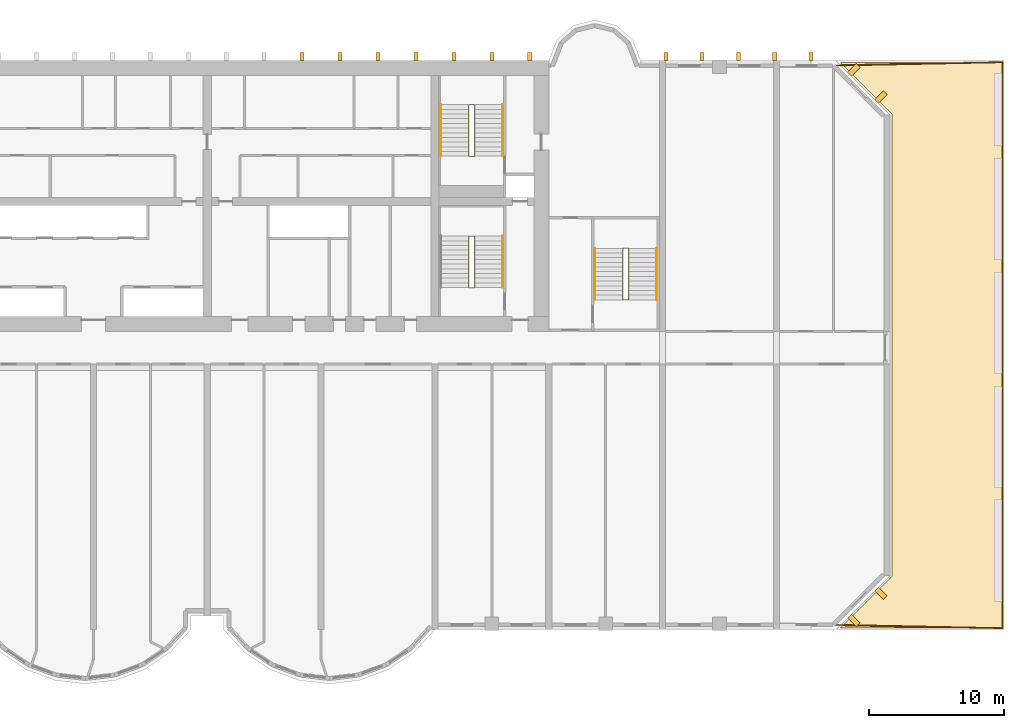
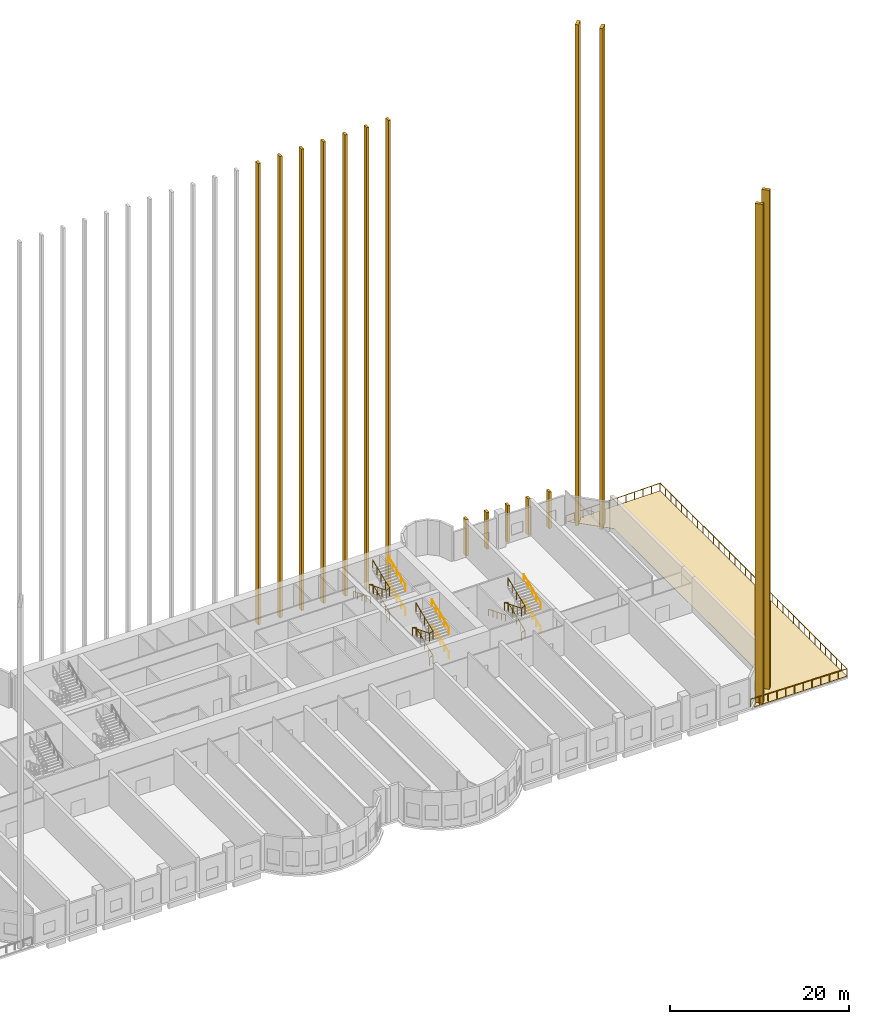
# One storey, part 11 of 11: 17 coverings, 12 railings.
"""IFC4 building model written with IfcOpenShell, lengths in metres."""

from ifc_helpers import new_model, si_unit, direction, frame, origin, origin_2d, place, context, subcontext, project, spatial, polyline, rectangle, circle, outline, extrude, source, transform, mapped, material, layer, layer_set, material_profile, profile_set, type_object, element, save


model = new_model("IFC4")

# Units and contexts
model_context = context("Model", 3, precision=1e-05, world=origin(), true_north=direction((0.0, 1.0)))
body_context = subcontext(model_context, "Body", "Model", "MODEL_VIEW")
ifc_project = project(units=[si_unit("LENGTHUNIT", "METRE"), si_unit("AREAUNIT", "SQUARE_METRE"), si_unit("VOLUMEUNIT", "CUBIC_METRE"), si_unit("PLANEANGLEUNIT", "RADIAN"), si_unit("MASSUNIT", "GRAM", prefix="KILO")], contexts=[model_context])

# Site, building, storey
site_placement = place(None, origin())
site = spatial("IfcSite", under=ifc_project, at=site_placement, CompositionType="ELEMENT")
building_placement = place(site_placement, origin())
building = spatial("IfcBuilding", under=site, at=building_placement, Name="Vanashikhar Sky Hotel", CompositionType="ELEMENT")
storey_placement = place(building_placement, frame((0.0, 0.0, 18.0)))
storey = spatial("IfcBuildingStorey", under=building, at=storey_placement, Name="L03", CompositionType="ELEMENT", Elevation=18.0)

# Covering
ifc_material_1 = material(Name="Paving stone", Category="masonry")
ifc_layer = layer(ifc_material_1, 0.050048828125)
ifc_layer_set = layer_set([ifc_layer], Name="Paving stone 50")
covering_type_1 = type_object("IfcCoveringType", Name="Paving stone 50", PredefinedType="FLOORING", material=ifc_layer_set)
shared_shape_1 = source(origin(), body_context, "Body", "SweptSolid", [
    extrude(outline(polyline([(97.0947265625, 41.8779296875), (109.077880859375, 41.8779296875), (109.077880859375, 0.1220703125), (97.0947265625, 0.1220703125), (100.922119140625, 3.94921875), (100.922119140625, 38.05078125), (97.0947265625, 41.8779296875)])), origin(), (0.0, 0.0, 1.0), 0.050048828125),
])
covering_placement = place(storey_placement, frame((0.0, 0.0, -0.050048828125)))
element("IfcCovering", 1, at=covering_placement, inside=storey, type_object=covering_type_1, Name="Terrace paving", PredefinedType="FLOORING", context=body_context, shape_type="MappedRepresentation", body=[
    mapped(shared_shape_1, transform((0.0, 0.0, 0.0), scale=1.0)),
])

# Railing
ifc_material_2 = material(Name="Stainless steel 316", Category="steel")
railing_type_1 = type_object("IfcRailingType", Name="Deck guard 1100", PredefinedType="GUARDRAIL", material=ifc_material_2)
shared_shape_2 = source(origin(), body_context, "Body", "SweptSolid", [
    extrude(circle(Radius=0.02392578125, at=origin_2d()), frame((0.0, 0.0, 1.076171875), z_axis=(0.9997951345, -0.020240776397, 0.0), x_axis=(0.020240776397, 0.9997951345, 0.0)), (0.0, 0.0, 1.0), 12.302978515625),
    extrude(circle(Radius=0.02392578125, at=origin_2d()), frame((12.300537109375, -0.2490234375, 1.076171875), z_axis=(0.0, 1.0, 0.0), x_axis=(-1.0, 0.0, 0.0)), (0.0, 0.0, 1.0), 41.7958984375),
    extrude(circle(Radius=0.02392578125, at=origin_2d()), frame((12.300537109375, 41.546875, 1.076171875), z_axis=(-0.9997951345, -0.020240776397, 0.0), x_axis=(0.020240776397, -0.9997951345, 0.0)), (0.0, 0.0, 1.0), 12.302978515625),
    extrude(circle(Radius=0.02099609375, at=origin_2d()), origin(), (0.0, 0.0, 1.0), 1.052001953125),
    extrude(circle(Radius=0.02099609375, at=origin_2d()), frame((1.1181640625, -0.022705078125, 0.0)), (0.0, 0.0, 1.0), 1.052001953125),
    extrude(circle(Radius=0.02099609375, at=origin_2d()), frame((2.236572265625, -0.045166015625, 0.0)), (0.0, 0.0, 1.0), 1.052001953125),
    extrude(circle(Radius=0.02099609375, at=origin_2d()), frame((3.354736328125, -0.06787109375, 0.0)), (0.0, 0.0, 1.0), 1.052001953125),
    extrude(circle(Radius=0.02099609375, at=origin_2d()), frame((4.472900390625, -0.090576171875, 0.0)), (0.0, 0.0, 1.0), 1.052001953125),
    extrude(circle(Radius=0.02099609375, at=origin_2d()), frame((5.591064453125, -0.11328125, 0.0)), (0.0, 0.0, 1.0), 1.052001953125),
    extrude(circle(Radius=0.02099609375, at=origin_2d()), frame((6.70947265625, -0.1357421875, 0.0)), (0.0, 0.0, 1.0), 1.052001953125),
    extrude(circle(Radius=0.02099609375, at=origin_2d()), frame((7.82763671875, -0.158447265625, 0.0)), (0.0, 0.0, 1.0), 1.052001953125),
    extrude(circle(Radius=0.02099609375, at=origin_2d()), frame((8.94580078125, -0.18115234375, 0.0)), (0.0, 0.0, 1.0), 1.052001953125),
    extrude(circle(Radius=0.02099609375, at=origin_2d()), frame((10.06396484375, -0.203857421875, 0.0)), (0.0, 0.0, 1.0), 1.052001953125),
    extrude(circle(Radius=0.02099609375, at=origin_2d()), frame((11.182373046875, -0.226318359375, 0.0)), (0.0, 0.0, 1.0), 1.052001953125),
    extrude(circle(Radius=0.02099609375, at=origin_2d()), frame((12.300537109375, -0.2490234375, 0.0)), (0.0, 0.0, 1.0), 1.052001953125),
    extrude(circle(Radius=0.02099609375, at=origin_2d()), frame((12.300537109375, 0.945068359375, 0.0)), (0.0, 0.0, 1.0), 1.052001953125),
    extrude(circle(Radius=0.02099609375, at=origin_2d()), frame((12.300537109375, 2.139404296875, 0.0)), (0.0, 0.0, 1.0), 1.052001953125),
    extrude(circle(Radius=0.02099609375, at=origin_2d()), frame((12.300537109375, 3.33349609375, 0.0)), (0.0, 0.0, 1.0), 1.052001953125),
    extrude(circle(Radius=0.02099609375, at=origin_2d()), frame((12.300537109375, 4.527587890625, 0.0)), (0.0, 0.0, 1.0), 1.052001953125),
    extrude(circle(Radius=0.02099609375, at=origin_2d()), frame((12.300537109375, 5.721923828125, 0.0)), (0.0, 0.0, 1.0), 1.052001953125),
    extrude(circle(Radius=0.02099609375, at=origin_2d()), frame((12.300537109375, 6.916015625, 0.0)), (0.0, 0.0, 1.0), 1.052001953125),
    extrude(circle(Radius=0.02099609375, at=origin_2d()), frame((12.300537109375, 8.110107421875, 0.0)), (0.0, 0.0, 1.0), 1.052001953125),
    extrude(circle(Radius=0.02099609375, at=origin_2d()), frame((12.300537109375, 9.304443359375, 0.0)), (0.0, 0.0, 1.0), 1.052001953125),
    extrude(circle(Radius=0.02099609375, at=origin_2d()), frame((12.300537109375, 10.49853515625, 0.0)), (0.0, 0.0, 1.0), 1.052001953125),
    extrude(circle(Radius=0.02099609375, at=origin_2d()), frame((12.300537109375, 11.692626953125, 0.0)), (0.0, 0.0, 1.0), 1.052001953125),
    extrude(circle(Radius=0.02099609375, at=origin_2d()), frame((12.300537109375, 12.88671875, 0.0)), (0.0, 0.0, 1.0), 1.052001953125),
    extrude(circle(Radius=0.02099609375, at=origin_2d()), frame((12.300537109375, 14.0810546875, 0.0)), (0.0, 0.0, 1.0), 1.052001953125),
    extrude(circle(Radius=0.02099609375, at=origin_2d()), frame((12.300537109375, 15.275146484375, 0.0)), (0.0, 0.0, 1.0), 1.052001953125),
    extrude(circle(Radius=0.02099609375, at=origin_2d()), frame((12.300537109375, 16.46923828125, 0.0)), (0.0, 0.0, 1.0), 1.052001953125),
    extrude(circle(Radius=0.02099609375, at=origin_2d()), frame((12.300537109375, 17.66357421875, 0.0)), (0.0, 0.0, 1.0), 1.052001953125),
    extrude(circle(Radius=0.02099609375, at=origin_2d()), frame((12.300537109375, 18.857666015625, 0.0)), (0.0, 0.0, 1.0), 1.052001953125),
    extrude(circle(Radius=0.02099609375, at=origin_2d()), frame((12.300537109375, 20.0517578125, 0.0)), (0.0, 0.0, 1.0), 1.052001953125),
    extrude(circle(Radius=0.02099609375, at=origin_2d()), frame((12.300537109375, 21.24609375, 0.0)), (0.0, 0.0, 1.0), 1.052001953125),
    extrude(circle(Radius=0.02099609375, at=origin_2d()), frame((12.300537109375, 22.440185546875, 0.0)), (0.0, 0.0, 1.0), 1.052001953125),
    extrude(circle(Radius=0.02099609375, at=origin_2d()), frame((12.300537109375, 23.63427734375, 0.0)), (0.0, 0.0, 1.0), 1.052001953125),
    extrude(circle(Radius=0.02099609375, at=origin_2d()), frame((12.300537109375, 24.82861328125, 0.0)), (0.0, 0.0, 1.0), 1.052001953125),
    extrude(circle(Radius=0.02099609375, at=origin_2d()), frame((12.300537109375, 26.022705078125, 0.0)), (0.0, 0.0, 1.0), 1.052001953125),
    extrude(circle(Radius=0.02099609375, at=origin_2d()), frame((12.300537109375, 27.216796875, 0.0)), (0.0, 0.0, 1.0), 1.052001953125),
    extrude(circle(Radius=0.02099609375, at=origin_2d()), frame((12.300537109375, 28.4111328125, 0.0)), (0.0, 0.0, 1.0), 1.052001953125),
    extrude(circle(Radius=0.02099609375, at=origin_2d()), frame((12.300537109375, 29.605224609375, 0.0)), (0.0, 0.0, 1.0), 1.052001953125),
    extrude(circle(Radius=0.02099609375, at=origin_2d()), frame((12.300537109375, 30.79931640625, 0.0)), (0.0, 0.0, 1.0), 1.052001953125),
    extrude(circle(Radius=0.02099609375, at=origin_2d()), frame((12.300537109375, 31.993408203125, 0.0)), (0.0, 0.0, 1.0), 1.052001953125),
    extrude(circle(Radius=0.02099609375, at=origin_2d()), frame((12.300537109375, 33.187744140625, 0.0)), (0.0, 0.0, 1.0), 1.052001953125),
    extrude(circle(Radius=0.02099609375, at=origin_2d()), frame((12.300537109375, 34.3818359375, 0.0)), (0.0, 0.0, 1.0), 1.052001953125),
    extrude(circle(Radius=0.02099609375, at=origin_2d()), frame((12.300537109375, 35.575927734375, 0.0)), (0.0, 0.0, 1.0), 1.052001953125),
    extrude(circle(Radius=0.02099609375, at=origin_2d()), frame((12.300537109375, 36.770263671875, 0.0)), (0.0, 0.0, 1.0), 1.052001953125),
    extrude(circle(Radius=0.02099609375, at=origin_2d()), frame((12.300537109375, 37.96435546875, 0.0)), (0.0, 0.0, 1.0), 1.052001953125),
    extrude(circle(Radius=0.02099609375, at=origin_2d()), frame((12.300537109375, 39.158447265625, 0.0)), (0.0, 0.0, 1.0), 1.052001953125),
    extrude(circle(Radius=0.02099609375, at=origin_2d()), frame((12.300537109375, 40.352783203125, 0.0)), (0.0, 0.0, 1.0), 1.052001953125),
    extrude(circle(Radius=0.02099609375, at=origin_2d()), frame((12.300537109375, 41.546875, 0.0)), (0.0, 0.0, 1.0), 1.052001953125),
    extrude(circle(Radius=0.02099609375, at=origin_2d()), frame((11.182373046875, 41.524169921875, 0.0)), (0.0, 0.0, 1.0), 1.052001953125),
    extrude(circle(Radius=0.02099609375, at=origin_2d()), frame((10.06396484375, 41.501708984375, 0.0)), (0.0, 0.0, 1.0), 1.052001953125),
    extrude(circle(Radius=0.02099609375, at=origin_2d()), frame((8.94580078125, 41.47900390625, 0.0)), (0.0, 0.0, 1.0), 1.052001953125),
    extrude(circle(Radius=0.02099609375, at=origin_2d()), frame((7.82763671875, 41.456298828125, 0.0)), (0.0, 0.0, 1.0), 1.052001953125),
    extrude(circle(Radius=0.02099609375, at=origin_2d()), frame((6.70947265625, 41.43359375, 0.0)), (0.0, 0.0, 1.0), 1.052001953125),
    extrude(circle(Radius=0.02099609375, at=origin_2d()), frame((5.591064453125, 41.4111328125, 0.0)), (0.0, 0.0, 1.0), 1.052001953125),
    extrude(circle(Radius=0.02099609375, at=origin_2d()), frame((4.472900390625, 41.388427734375, 0.0)), (0.0, 0.0, 1.0), 1.052001953125),
    extrude(circle(Radius=0.02099609375, at=origin_2d()), frame((3.354736328125, 41.36572265625, 0.0)), (0.0, 0.0, 1.0), 1.052001953125),
    extrude(circle(Radius=0.02099609375, at=origin_2d()), frame((2.236572265625, 41.343017578125, 0.0)), (0.0, 0.0, 1.0), 1.052001953125),
    extrude(circle(Radius=0.02099609375, at=origin_2d()), frame((1.1181640625, 41.320556640625, 0.0)), (0.0, 0.0, 1.0), 1.052001953125),
    extrude(circle(Radius=0.02099609375, at=origin_2d()), frame((0.0, 41.2978515625, 0.0)), (0.0, 0.0, 1.0), 1.052001953125),
])
railing_1_placement = place(storey_placement, frame((96.79736328125, 0.35107421875, -0.050048828125)))
element("IfcRailing", 2, at=railing_1_placement, inside=storey, type_object=railing_type_1, Name="Terrace guard", PredefinedType="GUARDRAIL", context=body_context, shape_type="MappedRepresentation", body=[
    mapped(shared_shape_2, transform((0.0, 0.0, 0.0), scale=1.0)),
])

# Coverings
ifc_material_3 = material(Name="Concrete M60 dark", Category="concrete")
ifc_material_profile_1 = material_profile(ifc_material_3, rectangle(XDim=0.60009765625, YDim=0.300048828125, at=origin_2d()))
ifc_profile_set_1 = profile_set([ifc_material_profile_1], Name="Rear rib 600 x 300")
covering_type_2 = type_object("IfcCoveringType", Name="Rear rib 600 x 300", PredefinedType="CLADDING", material=ifc_profile_set_1)
shared_shape_3 = source(origin(), body_context, "Body", "SweptSolid", [
    extrude(rectangle(XDim=0.60009765625, YDim=0.300048828125, at=origin_2d()), origin(), (0.0, 0.0, 1.0), 63.0),
])
for number, where, z_axis, x_axis, name in (
    (3, (57.39990234375, 42.300048828125, -0.280029296875), (0.0, 0.0, 1.0), (0.0, 1.0, 0.0), "Rear rib"),
    (4, (60.199951171875, 42.300048828125, -0.280029296875), (0.0, 0.0, 1.0), (0.0, 1.0, 0.0), "Rear rib"),
    (5, (63.0, 42.300048828125, -0.280029296875), (0.0, 0.0, 1.0), (0.0, 1.0, 0.0), "Rear rib"),
    (6, (65.800048828125, 42.300048828125, -0.280029296875), (0.0, 0.0, 1.0), (0.0, 1.0, 0.0), "Rear rib"),
    (7, (68.60009765625, 42.300048828125, -0.280029296875), (0.0, 0.0, 1.0), (0.0, 1.0, 0.0), "Rear rib"),
    (8, (71.39990234375, 42.300048828125, -0.280029296875), (0.0, 0.0, 1.0), (0.0, 1.0, 0.0), "Rear rib"),
    (9, (74.199951171875, 42.300048828125, -0.280029296875), (0.0, 0.0, 1.0), (0.0, 1.0, 0.0), "Rear rib"),
):
    element("IfcCovering", number, at=place(storey_placement, frame(where, z_axis=z_axis, x_axis=x_axis)), inside=storey, type_object=covering_type_2, Name=name, PredefinedType="CLADDING", context=body_context, shape_type="MappedRepresentation", body=[
        mapped(shared_shape_3, transform((0.0, 0.0, 0.0), scale=1.0)),
    ])
shared_shape_4 = source(origin(), body_context, "Body", "SweptSolid", [
    extrude(rectangle(XDim=0.60009765625, YDim=0.300048828125, at=origin_2d()), origin(), (0.0, 0.0, 1.0), 5.0),
])
for number, where, z_axis, x_axis, name in (
    (10, (84.239990234375, 42.300048828125, -0.280029296875), (0.0, 0.0, 1.0), (0.0, 1.0, 0.0), "Rear rib"),
    (11, (86.919921875, 42.300048828125, -0.280029296875), (0.0, 0.0, 1.0), (0.0, 1.0, 0.0), "Rear rib"),
    (12, (89.60009765625, 42.300048828125, -0.280029296875), (0.0, 0.0, 1.0), (0.0, 1.0, 0.0), "Rear rib"),
    (13, (92.280029296875, 42.300048828125, -0.280029296875), (0.0, 0.0, 1.0), (0.0, 1.0, 0.0), "Rear rib"),
    (14, (94.9599609375, 42.300048828125, -0.280029296875), (0.0, 0.0, 1.0), (0.0, 1.0, 0.0), "Rear rib"),
):
    element("IfcCovering", number, at=place(storey_placement, frame(where, z_axis=z_axis, x_axis=x_axis)), inside=storey, type_object=covering_type_2, Name=name, PredefinedType="CLADDING", context=body_context, shape_type="MappedRepresentation", body=[
        mapped(shared_shape_4, transform((0.0, 0.0, 0.0), scale=1.0)),
    ])
ifc_material_profile_2 = material_profile(ifc_material_3, rectangle(XDim=0.89990234375, YDim=0.39990234375, at=origin_2d()))
ifc_profile_set_2 = profile_set([ifc_material_profile_2], Name="Chamfer fin 900 x 400")
covering_type_3 = type_object("IfcCoveringType", Name="Chamfer fin 900 x 400", PredefinedType="CLADDING", material=ifc_profile_set_2)
shared_shape_5 = source(origin(), body_context, "Body", "SweptSolid", [
    extrude(rectangle(XDim=0.89990234375, YDim=0.39990234375, at=origin_2d()), origin(), (0.0, 0.0, 1.0), 68.400146484375),
])
for number, where, z_axis, x_axis, name in (
    (15, (98.1181640625, 0.681884765625, -0.280029296875), (0.0, 0.0, 1.0), (0.707106781187, -0.707106781187, 0.0), "Chamfer fin"),
    (16, (100.1181640625, 2.681884765625, -0.280029296875), (0.0, 0.0, 1.0), (0.707106781187, -0.707106781187, 0.0), "Chamfer fin"),
    (17, (100.1181640625, 39.318115234375, -0.280029296875), (0.0, 0.0, 1.0), (0.707106781187, 0.707106781187, 0.0), "Chamfer fin"),
    (18, (98.1181640625, 41.318115234375, -0.280029296875), (0.0, 0.0, 1.0), (0.707106781187, 0.707106781187, 0.0), "Chamfer fin"),
):
    element("IfcCovering", number, at=place(storey_placement, frame(where, z_axis=z_axis, x_axis=x_axis)), inside=storey, type_object=covering_type_3, Name=name, PredefinedType="CLADDING", context=body_context, shape_type="MappedRepresentation", body=[
        mapped(shared_shape_5, transform((0.0, 0.0, 0.0), scale=1.0)),
    ])

# Railings
ifc_material_4 = material(Name="Steel S355", Category="steel")
railing_type_2 = type_object("IfcRailingType", Name="Stair handrail 900", PredefinedType="HANDRAIL", material=ifc_material_4)
shared_shape_6 = source(origin(), body_context, "Body", "SweptSolid", [
    extrude(circle(Radius=0.02392578125, at=origin_2d()), frame((0.0, 0.0, 0.8759765625), z_axis=(0.0, 0.927817477834, 0.373034486109), x_axis=(-1.0, 0.0, 0.0)), (0.0, 0.0, 1.0), 4.095703125),
    extrude(circle(Radius=0.02099609375, at=origin_2d()), origin(), (0.0, 0.0, 1.0), 0.851806640625),
    extrude(circle(Radius=0.02099609375, at=origin_2d()), frame((0.0, 0.949951171875, 0.3818359375)), (0.0, 0.0, 1.0), 0.851806640625),
    extrude(circle(Radius=0.02099609375, at=origin_2d()), frame((0.0, 1.89990234375, 0.763916015625)), (0.0, 0.0, 1.0), 0.851806640625),
    extrude(circle(Radius=0.02099609375, at=origin_2d()), frame((0.0, 2.85009765625, 1.14599609375)), (0.0, 0.0, 1.0), 0.851806640625),
    extrude(circle(Radius=0.02099609375, at=origin_2d()), frame((0.0, 3.800048828125, 1.52783203125)), (0.0, 0.0, 1.0), 0.851806640625),
])
for number, where, name in (
    (19, (72.199951171875, 25.25, 0.138916015625), "Exit stair 2 handrail"),
    (20, (72.199951171875, 25.25, 3.47216796875), "Exit stair 2 handrail"),
    (21, (72.199951171875, 34.949951171875, 0.138916015625), "Exit stair 6 handrail"),
    (22, (72.199951171875, 34.949951171875, 3.47216796875), "Exit stair 6 handrail"),
):
    element("IfcRailing", number, at=place(storey_placement, frame(where)), inside=storey, type_object=railing_type_2, Name=name, PredefinedType="HANDRAIL", context=body_context, shape_type="MappedRepresentation", body=[
        mapped(shared_shape_6, transform((0.0, 0.0, 0.0), scale=1.0)),
    ])
shared_shape_7 = source(origin(), body_context, "Body", "SweptSolid", [
    extrude(circle(Radius=0.02392578125, at=origin_2d()), frame((0.0, 0.0, 0.8759765625), z_axis=(0.0, -0.927838108096, 0.372983170084), x_axis=(1.0, 0.0, 0.0)), (0.0, 0.0, 1.0), 4.095703125),
    extrude(circle(Radius=0.02099609375, at=origin_2d()), origin(), (0.0, 0.0, 1.0), 0.851806640625),
    extrude(circle(Radius=0.02099609375, at=origin_2d()), frame((0.0, -0.949951171875, 0.3818359375)), (0.0, 0.0, 1.0), 0.851806640625),
    extrude(circle(Radius=0.02099609375, at=origin_2d()), frame((0.0, -1.89990234375, 0.763671875)), (0.0, 0.0, 1.0), 0.851806640625),
    extrude(circle(Radius=0.02099609375, at=origin_2d()), frame((0.0, -2.85009765625, 1.145751953125)), (0.0, 0.0, 1.0), 0.851806640625),
    extrude(circle(Radius=0.02099609375, at=origin_2d()), frame((0.0, -3.800048828125, 1.527587890625)), (0.0, 0.0, 1.0), 0.851806640625),
])
railing_2_placement = place(storey_placement, frame((67.64990234375, 38.75, 1.8056640625)))
element("IfcRailing", 23, at=railing_2_placement, inside=storey, type_object=railing_type_2, Name="Exit stair 6 handrail", PredefinedType="HANDRAIL", context=body_context, shape_type="MappedRepresentation", body=[
    mapped(shared_shape_7, transform((0.0, 0.0, 0.0), scale=1.0)),
])
railing_type_3 = type_object("IfcRailingType", Name="Stair guard 1100", PredefinedType="GUARDRAIL", material=ifc_material_4)
shared_shape_8 = source(origin(), body_context, "Body", "SweptSolid", [
    extrude(circle(Radius=0.02392578125, at=origin_2d()), frame((0.0, 0.0, 1.076171875), z_axis=(0.955498332995, 0.0, 0.294996501071), x_axis=(0.0, 1.0, 0.0)), (0.0, 0.0, 1.0), 0.470947265625),
    extrude(circle(Radius=0.02392578125, at=origin_2d()), frame((0.449951171875, 0.0, 1.21484375), z_axis=(0.0, 0.927817477834, 0.373034486109), x_axis=(-1.0, 0.0, 0.0)), (0.0, 0.0, 1.0), 4.095703125),
    extrude(circle(Radius=0.02392578125, at=origin_2d()), frame((0.449951171875, 3.800048828125, 2.74267578125), z_axis=(-0.955498332995, 0.0, 0.294996501071), x_axis=(0.0, -1.0, 0.0)), (0.0, 0.0, 1.0), 0.470947265625),
    extrude(circle(Radius=0.02392578125, at=origin_2d()), frame((0.0, 3.800048828125, 2.8818359375), z_axis=(0.0, -0.927838108096, 0.372983170084), x_axis=(1.0, 0.0, 0.0)), (0.0, 0.0, 1.0), 4.095703125),
    extrude(circle(Radius=0.02392578125, at=origin_2d()), frame((0.0, 0.0, 4.4091796875), z_axis=(0.955498332995, 0.0, 0.294996501071), x_axis=(0.0, 1.0, 0.0)), (0.0, 0.0, 1.0), 0.470947265625),
    extrude(circle(Radius=0.02392578125, at=origin_2d()), frame((0.449951171875, 0.0, 4.54833984375), z_axis=(0.0, 0.927817477834, 0.373034486109), x_axis=(-1.0, 0.0, 0.0)), (0.0, 0.0, 1.0), 4.095703125),
    extrude(circle(Radius=0.02099609375, at=origin_2d()), origin(), (0.0, 0.0, 1.0), 1.052001953125),
    extrude(circle(Radius=0.02099609375, at=origin_2d()), frame((0.449951171875, 0.0, 0.138916015625)), (0.0, 0.0, 1.0), 1.052001953125),
    extrude(circle(Radius=0.02099609375, at=origin_2d()), frame((0.449951171875, 0.949951171875, 0.52099609375)), (0.0, 0.0, 1.0), 1.052001953125),
    extrude(circle(Radius=0.02099609375, at=origin_2d()), frame((0.449951171875, 1.89990234375, 0.90283203125)), (0.0, 0.0, 1.0), 1.052001953125),
    extrude(circle(Radius=0.02099609375, at=origin_2d()), frame((0.449951171875, 2.85009765625, 1.28466796875)), (0.0, 0.0, 1.0), 1.052001953125),
    extrude(circle(Radius=0.02099609375, at=origin_2d()), frame((0.449951171875, 3.800048828125, 1.666748046875)), (0.0, 0.0, 1.0), 1.052001953125),
    extrude(circle(Radius=0.02099609375, at=origin_2d()), frame((0.0, 3.800048828125, 1.8056640625)), (0.0, 0.0, 1.0), 1.052001953125),
    extrude(circle(Radius=0.02099609375, at=origin_2d()), frame((0.0, 2.85009765625, 2.1875)), (0.0, 0.0, 1.0), 1.052001953125),
    extrude(circle(Radius=0.02099609375, at=origin_2d()), frame((0.0, 1.89990234375, 2.5693359375)), (0.0, 0.0, 1.0), 1.052001953125),
    extrude(circle(Radius=0.02099609375, at=origin_2d()), frame((0.0, 0.949951171875, 2.951416015625)), (0.0, 0.0, 1.0), 1.052001953125),
    extrude(circle(Radius=0.02099609375, at=origin_2d()), frame((0.0, 0.0, 3.333251953125)), (0.0, 0.0, 1.0), 1.052001953125),
    extrude(circle(Radius=0.02099609375, at=origin_2d()), frame((0.449951171875, 0.0, 3.47216796875)), (0.0, 0.0, 1.0), 1.052001953125),
    extrude(circle(Radius=0.02099609375, at=origin_2d()), frame((0.449951171875, 0.949951171875, 3.85400390625)), (0.0, 0.0, 1.0), 1.052001953125),
    extrude(circle(Radius=0.02099609375, at=origin_2d()), frame((0.449951171875, 1.89990234375, 4.236083984375)), (0.0, 0.0, 1.0), 1.052001953125),
    extrude(circle(Radius=0.02099609375, at=origin_2d()), frame((0.449951171875, 2.85009765625, 4.6181640625)), (0.0, 0.0, 1.0), 1.052001953125),
    extrude(circle(Radius=0.02099609375, at=origin_2d()), frame((0.449951171875, 3.800048828125, 5.0)), (0.0, 0.0, 1.0), 1.052001953125),
])
for number, where, name in (
    (24, (69.699951171875, 25.25, 0.0), "Exit stair 2 guard"),
    (25, (69.699951171875, 34.949951171875, 0.0), "Exit stair 6 guard"),
):
    element("IfcRailing", number, at=place(storey_placement, frame(where)), inside=storey, type_object=railing_type_3, Name=name, PredefinedType="GUARDRAIL", context=body_context, shape_type="MappedRepresentation", body=[
        mapped(shared_shape_8, transform((0.0, 0.0, 0.0), scale=1.0)),
    ])
shared_shape_9 = source(origin(), body_context, "Body", "SweptSolid", [
    extrude(circle(Radius=0.02392578125, at=origin_2d()), frame((0.0, 0.0, 1.076171875), z_axis=(0.955498332995, 0.0, 0.294996501071), x_axis=(0.0, 1.0, 0.0)), (0.0, 0.0, 1.0), 0.470947265625),
    extrude(circle(Radius=0.02392578125, at=origin_2d()), frame((0.449951171875, 0.0, 1.21484375), z_axis=(0.0, 0.927809182241, 0.37305511838), x_axis=(-1.0, 0.0, 0.0)), (0.0, 0.0, 1.0), 4.095458984375),
    extrude(circle(Radius=0.02392578125, at=origin_2d()), frame((0.449951171875, 3.7998046875, 2.74267578125), z_axis=(-0.955498332995, 0.0, 0.294996501071), x_axis=(0.0, -1.0, 0.0)), (0.0, 0.0, 1.0), 0.470947265625),
    extrude(circle(Radius=0.02392578125, at=origin_2d()), frame((0.0, 3.7998046875, 2.8818359375), z_axis=(0.0, -0.927829814601, 0.373003800434), x_axis=(1.0, 0.0, 0.0)), (0.0, 0.0, 1.0), 4.095458984375),
    extrude(circle(Radius=0.02392578125, at=origin_2d()), frame((0.0, 0.0, 4.4091796875), z_axis=(0.955498332995, 0.0, 0.294996501071), x_axis=(0.0, 1.0, 0.0)), (0.0, 0.0, 1.0), 0.470947265625),
    extrude(circle(Radius=0.02392578125, at=origin_2d()), frame((0.449951171875, 0.0, 4.54833984375), z_axis=(0.0, 0.927809182241, 0.37305511838), x_axis=(-1.0, 0.0, 0.0)), (0.0, 0.0, 1.0), 4.095458984375),
    extrude(circle(Radius=0.02099609375, at=origin_2d()), origin(), (0.0, 0.0, 1.0), 1.052001953125),
    extrude(circle(Radius=0.02099609375, at=origin_2d()), frame((0.449951171875, 0.0, 0.138916015625)), (0.0, 0.0, 1.0), 1.052001953125),
    extrude(circle(Radius=0.02099609375, at=origin_2d()), frame((0.449951171875, 0.949951171875, 0.52099609375)), (0.0, 0.0, 1.0), 1.052001953125),
    extrude(circle(Radius=0.02099609375, at=origin_2d()), frame((0.449951171875, 1.89990234375, 0.90283203125)), (0.0, 0.0, 1.0), 1.052001953125),
    extrude(circle(Radius=0.02099609375, at=origin_2d()), frame((0.449951171875, 2.849853515625, 1.28466796875)), (0.0, 0.0, 1.0), 1.052001953125),
    extrude(circle(Radius=0.02099609375, at=origin_2d()), frame((0.449951171875, 3.7998046875, 1.666748046875)), (0.0, 0.0, 1.0), 1.052001953125),
    extrude(circle(Radius=0.02099609375, at=origin_2d()), frame((0.0, 3.7998046875, 1.8056640625)), (0.0, 0.0, 1.0), 1.052001953125),
    extrude(circle(Radius=0.02099609375, at=origin_2d()), frame((0.0, 2.849853515625, 2.1875)), (0.0, 0.0, 1.0), 1.052001953125),
    extrude(circle(Radius=0.02099609375, at=origin_2d()), frame((0.0, 1.89990234375, 2.5693359375)), (0.0, 0.0, 1.0), 1.052001953125),
    extrude(circle(Radius=0.02099609375, at=origin_2d()), frame((0.0, 0.949951171875, 2.951416015625)), (0.0, 0.0, 1.0), 1.052001953125),
    extrude(circle(Radius=0.02099609375, at=origin_2d()), frame((0.0, 0.0, 3.333251953125)), (0.0, 0.0, 1.0), 1.052001953125),
    extrude(circle(Radius=0.02099609375, at=origin_2d()), frame((0.449951171875, 0.0, 3.47216796875)), (0.0, 0.0, 1.0), 1.052001953125),
    extrude(circle(Radius=0.02099609375, at=origin_2d()), frame((0.449951171875, 0.949951171875, 3.85400390625)), (0.0, 0.0, 1.0), 1.052001953125),
    extrude(circle(Radius=0.02099609375, at=origin_2d()), frame((0.449951171875, 1.89990234375, 4.236083984375)), (0.0, 0.0, 1.0), 1.052001953125),
    extrude(circle(Radius=0.02099609375, at=origin_2d()), frame((0.449951171875, 2.849853515625, 4.6181640625)), (0.0, 0.0, 1.0), 1.052001953125),
    extrude(circle(Radius=0.02099609375, at=origin_2d()), frame((0.449951171875, 3.7998046875, 5.0)), (0.0, 0.0, 1.0), 1.052001953125),
])
railing_3_placement = place(storey_placement, frame((81.050048828125, 24.35009765625, 0.0)))
element("IfcRailing", 26, at=railing_3_placement, inside=storey, type_object=railing_type_3, Name="Exit stair 4 guard", PredefinedType="GUARDRAIL", context=body_context, shape_type="MappedRepresentation", body=[
    mapped(shared_shape_9, transform((0.0, 0.0, 0.0), scale=1.0)),
])
shared_shape_10 = source(origin(), body_context, "Body", "SweptSolid", [
    extrude(circle(Radius=0.02392578125, at=origin_2d()), frame((0.0, 0.0, 0.8759765625), z_axis=(0.0, 0.927809182241, 0.37305511838), x_axis=(-1.0, 0.0, 0.0)), (0.0, 0.0, 1.0), 4.095458984375),
    extrude(circle(Radius=0.02099609375, at=origin_2d()), origin(), (0.0, 0.0, 1.0), 0.851806640625),
    extrude(circle(Radius=0.02099609375, at=origin_2d()), frame((0.0, 0.949951171875, 0.3818359375)), (0.0, 0.0, 1.0), 0.851806640625),
    extrude(circle(Radius=0.02099609375, at=origin_2d()), frame((0.0, 1.89990234375, 0.763916015625)), (0.0, 0.0, 1.0), 0.851806640625),
    extrude(circle(Radius=0.02099609375, at=origin_2d()), frame((0.0, 2.849853515625, 1.14599609375)), (0.0, 0.0, 1.0), 0.851806640625),
    extrude(circle(Radius=0.02099609375, at=origin_2d()), frame((0.0, 3.7998046875, 1.52783203125)), (0.0, 0.0, 1.0), 0.851806640625),
])
for number, where, name in (
    (27, (83.550048828125, 24.35009765625, 0.138916015625), "Exit stair 4 handrail"),
    (28, (83.550048828125, 24.35009765625, 3.47216796875), "Exit stair 4 handrail"),
):
    element("IfcRailing", number, at=place(storey_placement, frame(where)), inside=storey, type_object=railing_type_2, Name=name, PredefinedType="HANDRAIL", context=body_context, shape_type="MappedRepresentation", body=[
        mapped(shared_shape_10, transform((0.0, 0.0, 0.0), scale=1.0)),
    ])
shared_shape_11 = source(origin(), body_context, "Body", "SweptSolid", [
    extrude(circle(Radius=0.02392578125, at=origin_2d()), frame((0.0, 0.0, 0.8759765625), z_axis=(0.0, -0.927829814601, 0.373003800434), x_axis=(1.0, 0.0, 0.0)), (0.0, 0.0, 1.0), 4.095458984375),
    extrude(circle(Radius=0.02099609375, at=origin_2d()), origin(), (0.0, 0.0, 1.0), 0.851806640625),
    extrude(circle(Radius=0.02099609375, at=origin_2d()), frame((0.0, -0.949951171875, 0.3818359375)), (0.0, 0.0, 1.0), 0.851806640625),
    extrude(circle(Radius=0.02099609375, at=origin_2d()), frame((0.0, -1.89990234375, 0.763671875)), (0.0, 0.0, 1.0), 0.851806640625),
    extrude(circle(Radius=0.02099609375, at=origin_2d()), frame((0.0, -2.849853515625, 1.145751953125)), (0.0, 0.0, 1.0), 0.851806640625),
    extrude(circle(Radius=0.02099609375, at=origin_2d()), frame((0.0, -3.7998046875, 1.527587890625)), (0.0, 0.0, 1.0), 0.851806640625),
])
railing_4_placement = place(storey_placement, frame((79.0, 28.14990234375, 1.8056640625)))
element("IfcRailing", 29, at=railing_4_placement, inside=storey, type_object=railing_type_2, Name="Exit stair 4 handrail", PredefinedType="HANDRAIL", context=body_context, shape_type="MappedRepresentation", body=[
    mapped(shared_shape_11, transform((0.0, 0.0, 0.0), scale=1.0)),
])

save(model, "model.ifc")
